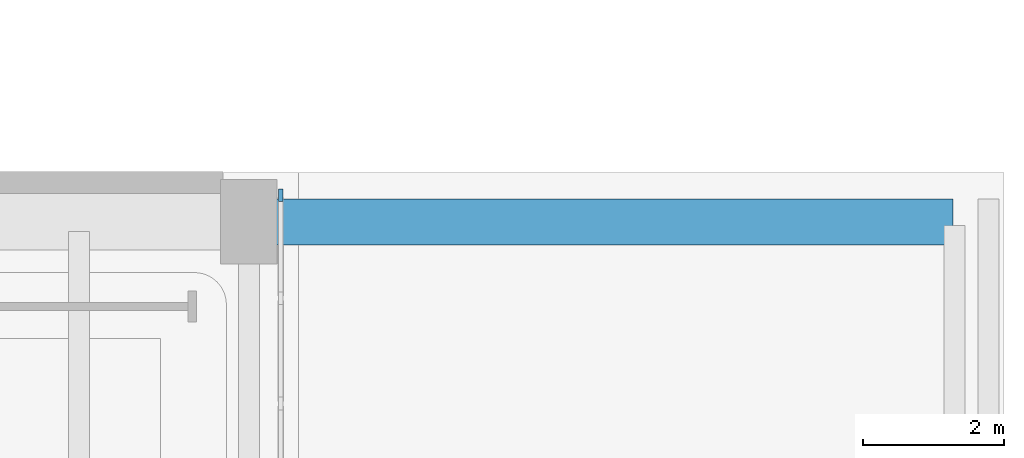
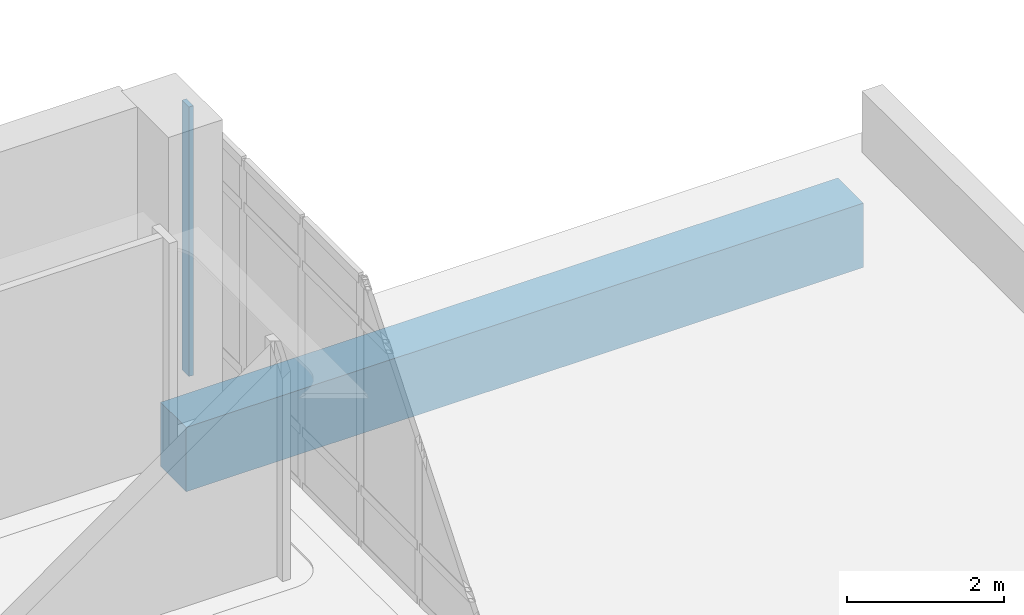
# One storey, part 33 of 75: 1 beam, 1 member, 1 element without a shape of its own.
"""IFC4 building model written with IfcOpenShell, lengths in metres."""

from ifc_helpers import new_model, si_unit, direction, frame, origin, origin_2d, place, context, subcontext, project, spatial, rectangle, extrude, material, material_profile, profile_set, type_object, element, aggregate, save


model = new_model("IFC4")

# Units and contexts
model_context = context("Model", 3, precision=1e-05, world=origin(), true_north=direction((0.0, 1.0)))
body_context = subcontext(model_context, "Body", "Model", "MODEL_VIEW")
ifc_project = project(units=[si_unit("LENGTHUNIT", "METRE"), si_unit("AREAUNIT", "SQUARE_METRE"), si_unit("VOLUMEUNIT", "CUBIC_METRE"), si_unit("PLANEANGLEUNIT", "RADIAN"), si_unit("MASSUNIT", "GRAM", prefix="KILO")], contexts=[model_context])

# Site, building, storey
site_placement = place(None, origin())
site = spatial("IfcSite", under=ifc_project, at=site_placement, CompositionType="ELEMENT")
building_placement = place(site_placement, origin())
building = spatial("IfcBuilding", under=site, at=building_placement, Name="Soyqirgoq Riverine Aquarium", CompositionType="ELEMENT")
storey_placement = place(building_placement, frame((0.0, 0.0, 10.199951171875)))
storey = spatial("IfcBuildingStorey", under=building, at=storey_placement, Name="L03", CompositionType="ELEMENT", Elevation=10.199951171875)

# Curtain wall, member
ifc_material_1 = material(Name="Anodised aluminium thermally broken gallery curtain wall", Category="aluminium")
curtain_wall_type = type_object("IfcCurtainWallType", Name="CW_Pavilion_Ribbon", PredefinedType="NOTDEFINED", material=ifc_material_1)
curtain_wall_placement = place(storey_placement, origin())
curtain_wall = element("IfcCurtainWall", 1, at=curtain_wall_placement, inside=storey, type_object=curtain_wall_type, Name="V6 L03 Curtain Wall 120", PredefinedType="NOTDEFINED")
ifc_material_2 = material(Name="Anodised aluminium 6063-T6", Category="aluminium")
ifc_material_profile_1 = material_profile(ifc_material_2, rectangle(XDim=0.06494140625, YDim=0.179931640625, at=origin_2d()), Name="ALU-M 65x180")
ifc_profile_set_1 = profile_set([ifc_material_profile_1], Name="Anodised aluminium 6063-T6")
member_type = type_object("IfcMemberType", Name="CWMullion_65x180", PredefinedType="MULLION", material=ifc_profile_set_1)
member_placement = place(storey_placement, frame((153.75, 18.177490234375, 0.0), z_axis=(0.0, 0.0, 1.0), x_axis=(1.0, 0.0, 0.0)))
member = element("IfcMember", 2, at=member_placement, type_object=member_type, Name="CW-05 mullion 1", PredefinedType="MULLION", context=body_context, shape_type="SweptSolid", body=[
    extrude(rectangle(XDim=0.06494140625, YDim=0.179931640625, at=origin_2d()), origin(), (0.0, 0.0, 1.0), 4.18994140625),
])
aggregate(curtain_wall, [member])

# Beam
ifc_material_3 = material(Name="Concrete C40/50", Category="concrete")
ifc_material_profile_2 = material_profile(ifc_material_3, rectangle(XDim=0.64990234375, YDim=1.0, at=origin_2d()), Name="RC 650x1000")
ifc_profile_set_2 = profile_set([ifc_material_profile_2], Name="Concrete C40/50")
beam_type = type_object("IfcBeamType", Name="Girder_RC_650x1000", PredefinedType="BEAM", material=ifc_profile_set_2)
beam_placement = place(storey_placement, frame((153.320068359375, 17.800048828125, -0.780029296875), z_axis=(1.0, 0.0, 0.0), x_axis=(0.0, 1.0, 0.0)))
element("IfcBeam", 3, at=beam_placement, inside=storey, type_object=beam_type, Name="V6 L03 East-West Frame Girder 1194", PredefinedType="BEAM", context=body_context, shape_type="SweptSolid", body=[
    extrude(rectangle(XDim=0.64990234375, YDim=1.0, at=origin_2d()), origin(), (0.0, 0.0, 1.0), 9.9599609375),
])

save(model, "model.ifc")
